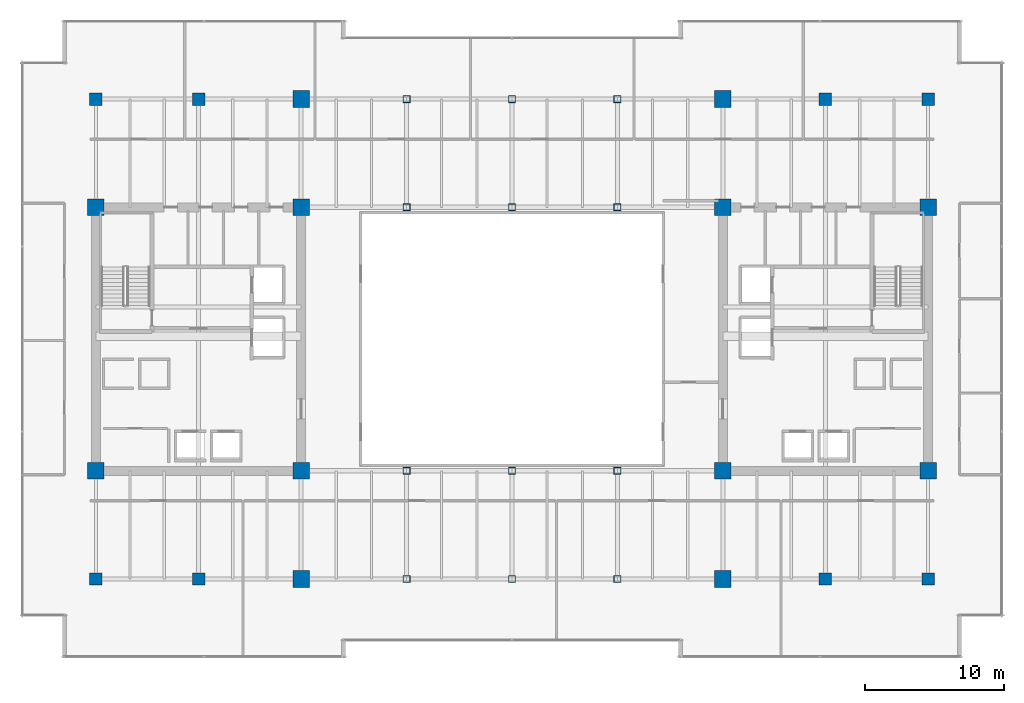
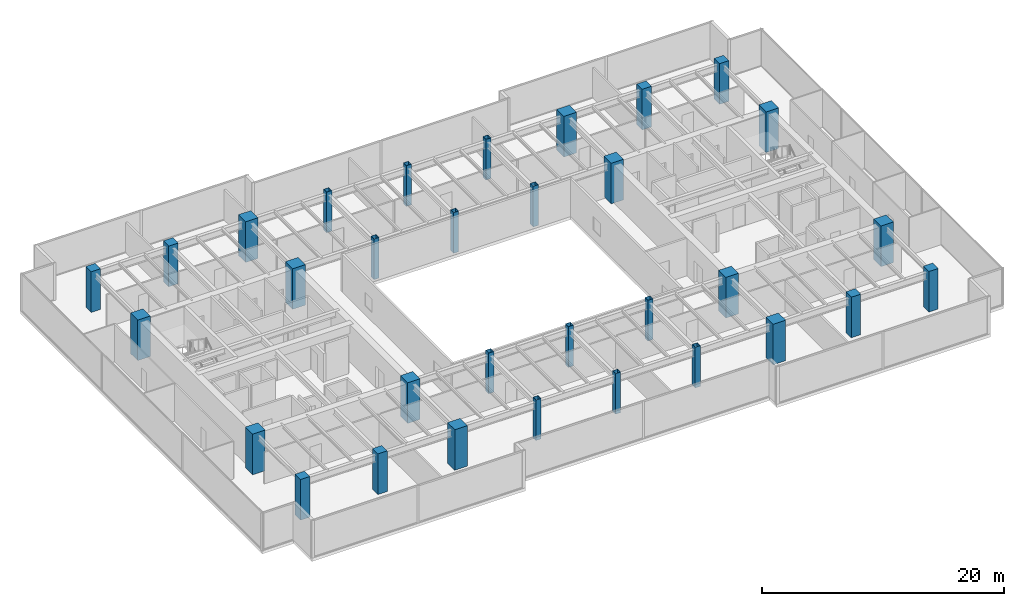
# One storey, part 1 of 30: 32 columns.
"""IFC4 building model written with IfcOpenShell, lengths in metres."""

from ifc_helpers import new_model, si_unit, direction, frame, origin, origin_2d, place, context, subcontext, project, spatial, rectangle, hollow_rectangle, extrude, source, transform, mapped, material, material_profile, profile_set, type_object, type_shapes, element, save


model = new_model("IFC4")

# Units and contexts
model_context = context("Model", 3, precision=1e-05, world=origin(), true_north=direction((0.0, 1.0)))
body_context = subcontext(model_context, "Body", "Model", "MODEL_VIEW")
ifc_project = project(units=[si_unit("LENGTHUNIT", "METRE"), si_unit("AREAUNIT", "SQUARE_METRE"), si_unit("VOLUMEUNIT", "CUBIC_METRE"), si_unit("PLANEANGLEUNIT", "RADIAN"), si_unit("MASSUNIT", "GRAM", prefix="KILO")], contexts=[model_context])

# Site, building, storey
site_placement = place(None, origin())
site = spatial("IfcSite", under=ifc_project, at=site_placement, CompositionType="ELEMENT")
building_placement = place(site_placement, origin())
building = spatial("IfcBuilding", under=site, at=building_placement, Name="Haelvirn Gate Laboratories", CompositionType="ELEMENT")
storey_placement = place(building_placement, frame((0.0, 0.0, 170.699951171875)))
storey = spatial("IfcBuildingStorey", under=building, at=storey_placement, Name="L41", CompositionType="ELEMENT", Elevation=170.699951171875)

# Columns
ifc_material_1 = material(Name="Concrete C50/60", Category="concrete")
ifc_material_profile_1 = material_profile(ifc_material_1, rectangle(XDim=0.89990234375, YDim=0.89990234375, at=origin_2d()), Name="RC-900x900")
ifc_profile_set_1 = profile_set([ifc_material_profile_1], Name="Concrete C50/60")
column_type_1 = type_object("IfcColumnType", Name="COL-RC-900", PredefinedType="COLUMN", material=ifc_profile_set_1)
shared_shape_1 = source(origin(), body_context, "Body", "SweptSolid", [
    extrude(rectangle(XDim=0.89990234375, YDim=0.89990234375, at=origin_2d()), origin(), (0.0, 0.0, 1.0), 4.10009765625),
])
type_shapes(column_type_1, [shared_shape_1])
for number, where, z_axis, x_axis, name in (
    (1, (14.800048828125, 7.0, 0.0), (0.0, 0.0, 1.0), (1.0, 0.0, 0.0), "L41 Column 3B"),
    (2, (14.800048828125, 41.60009765625, 0.0), (0.0, 0.0, 1.0), (1.0, 0.0, 0.0), "L41 Column 3G"),
    (3, (60.0, 7.0, 0.0), (0.0, 0.0, 1.0), (1.0, 0.0, 0.0), "L41 Column 9B"),
    (4, (60.0, 41.60009765625, 0.0), (0.0, 0.0, 1.0), (1.0, 0.0, 0.0), "L41 Column 9G"),
    (5, (7.39990234375, 7.0, 0.0), (0.0, 0.0, 1.0), (1.0, 0.0, 0.0), "L41 Column 2B"),
    (6, (7.39990234375, 41.60009765625, 0.0), (0.0, 0.0, 1.0), (1.0, 0.0, 0.0), "L41 Column 2G"),
    (7, (67.39990234375, 7.0, 0.0), (0.0, 0.0, 1.0), (1.0, 0.0, 0.0), "L41 Column 10B"),
    (8, (67.39990234375, 41.60009765625, 0.0), (0.0, 0.0, 1.0), (1.0, 0.0, 0.0), "L41 Column 10G"),
):
    element("IfcColumn", number, at=place(storey_placement, frame(where, z_axis=z_axis, x_axis=x_axis)), inside=storey, type_object=column_type_1, Name=name, PredefinedType="COLUMN", context=body_context, shape_type="MappedRepresentation", body=[
        mapped(shared_shape_1, transform((0.0, 0.0, 0.0), scale=1.0)),
    ])
ifc_material_2 = material(Name="Concrete C60/75", Category="concrete")
ifc_material_profile_2 = material_profile(ifc_material_2, rectangle(XDim=1.199951171875, YDim=1.199951171875, at=origin_2d()), Name="SRC-1200x1200")
ifc_profile_set_2 = profile_set([ifc_material_profile_2], Name="Concrete C60/75")
column_type_2 = type_object("IfcColumnType", Name="COL-SRC-1200", PredefinedType="COLUMN", material=ifc_profile_set_2)
shared_shape_2 = source(origin(), body_context, "Body", "SweptSolid", [
    extrude(rectangle(XDim=1.199951171875, YDim=1.199951171875, at=origin_2d()), origin(), (0.0, 0.0, 1.0), 4.10009765625),
])
type_shapes(column_type_2, [shared_shape_2])
for number, where, z_axis, x_axis, name in (
    (9, (22.199951171875, 7.0, 0.0), (0.0, 0.0, 1.0), (1.0, 0.0, 0.0), "L41 Column 4B"),
    (10, (7.39990234375, 14.800048828125, 0.0), (0.0, 0.0, 1.0), (1.0, 0.0, 0.0), "L41 Column 2C"),
    (11, (22.199951171875, 14.800048828125, 0.0), (0.0, 0.0, 1.0), (1.0, 0.0, 0.0), "L41 Column 4C"),
    (12, (7.39990234375, 33.800048828125, 0.0), (0.0, 0.0, 1.0), (1.0, 0.0, 0.0), "L41 Column 2F"),
    (13, (22.199951171875, 33.800048828125, 0.0), (0.0, 0.0, 1.0), (1.0, 0.0, 0.0), "L41 Column 4F"),
    (14, (22.199951171875, 41.60009765625, 0.0), (0.0, 0.0, 1.0), (1.0, 0.0, 0.0), "L41 Column 4G"),
    (15, (52.60009765625, 7.0, 0.0), (0.0, 0.0, 1.0), (1.0, 0.0, 0.0), "L41 Column 8B"),
    (16, (52.60009765625, 14.800048828125, 0.0), (0.0, 0.0, 1.0), (1.0, 0.0, 0.0), "L41 Column 8C"),
    (17, (67.39990234375, 14.800048828125, 0.0), (0.0, 0.0, 1.0), (1.0, 0.0, 0.0), "L41 Column 10C"),
    (18, (52.60009765625, 33.800048828125, 0.0), (0.0, 0.0, 1.0), (1.0, 0.0, 0.0), "L41 Column 8F"),
    (19, (67.39990234375, 33.800048828125, 0.0), (0.0, 0.0, 1.0), (1.0, 0.0, 0.0), "L41 Column 10F"),
    (20, (52.60009765625, 41.60009765625, 0.0), (0.0, 0.0, 1.0), (1.0, 0.0, 0.0), "L41 Column 8G"),
):
    element("IfcColumn", number, at=place(storey_placement, frame(where, z_axis=z_axis, x_axis=x_axis)), inside=storey, type_object=column_type_2, Name=name, PredefinedType="COLUMN", context=body_context, shape_type="MappedRepresentation", body=[
        mapped(shared_shape_2, transform((0.0, 0.0, 0.0), scale=1.0)),
    ])
ifc_material_3 = material(Name="Steel SM355", Category="steel")
ifc_material_profile_3 = material_profile(ifc_material_3, hollow_rectangle(XDim=0.5, YDim=0.5, WallThickness=0.02197265625, at=origin_2d()), Name="BOX-500x500x22")
ifc_profile_set_3 = profile_set([ifc_material_profile_3], Name="Steel SM355")
column_type_3 = type_object("IfcColumnType", Name="COL-BOX-500", PredefinedType="COLUMN", material=ifc_profile_set_3)
shared_shape_3 = source(origin(), body_context, "Body", "SweptSolid", [
    extrude(hollow_rectangle(XDim=0.5, YDim=0.5, WallThickness=0.02197265625, at=origin_2d()), origin(), (0.0, 0.0, 1.0), 4.10009765625),
])
type_shapes(column_type_3, [shared_shape_3])
for number, where, z_axis, x_axis, name in (
    (21, (29.800048828125, 7.0, 0.0), (0.0, 0.0, 1.0), (1.0, 0.0, 0.0), "L41 Column 5B"),
    (22, (29.800048828125, 14.800048828125, 0.0), (0.0, 0.0, 1.0), (1.0, 0.0, 0.0), "L41 Column 5C"),
    (23, (29.800048828125, 33.800048828125, 0.0), (0.0, 0.0, 1.0), (1.0, 0.0, 0.0), "L41 Column 5F"),
    (24, (29.800048828125, 41.60009765625, 0.0), (0.0, 0.0, 1.0), (1.0, 0.0, 0.0), "L41 Column 5G"),
    (25, (37.39990234375, 7.0, 0.0), (0.0, 0.0, 1.0), (1.0, 0.0, 0.0), "L41 Column 6B"),
    (26, (37.39990234375, 14.800048828125, 0.0), (0.0, 0.0, 1.0), (1.0, 0.0, 0.0), "L41 Column 6C"),
    (27, (37.39990234375, 33.800048828125, 0.0), (0.0, 0.0, 1.0), (1.0, 0.0, 0.0), "L41 Column 6F"),
    (28, (37.39990234375, 41.60009765625, 0.0), (0.0, 0.0, 1.0), (1.0, 0.0, 0.0), "L41 Column 6G"),
    (29, (45.0, 7.0, 0.0), (0.0, 0.0, 1.0), (1.0, 0.0, 0.0), "L41 Column 7B"),
    (30, (45.0, 14.800048828125, 0.0), (0.0, 0.0, 1.0), (1.0, 0.0, 0.0), "L41 Column 7C"),
    (31, (45.0, 33.800048828125, 0.0), (0.0, 0.0, 1.0), (1.0, 0.0, 0.0), "L41 Column 7F"),
    (32, (45.0, 41.60009765625, 0.0), (0.0, 0.0, 1.0), (1.0, 0.0, 0.0), "L41 Column 7G"),
):
    element("IfcColumn", number, at=place(storey_placement, frame(where, z_axis=z_axis, x_axis=x_axis)), inside=storey, type_object=column_type_3, Name=name, PredefinedType="COLUMN", context=body_context, shape_type="MappedRepresentation", body=[
        mapped(shared_shape_3, transform((0.0, 0.0, 0.0), scale=1.0)),
    ])

save(model, "model.ifc")
